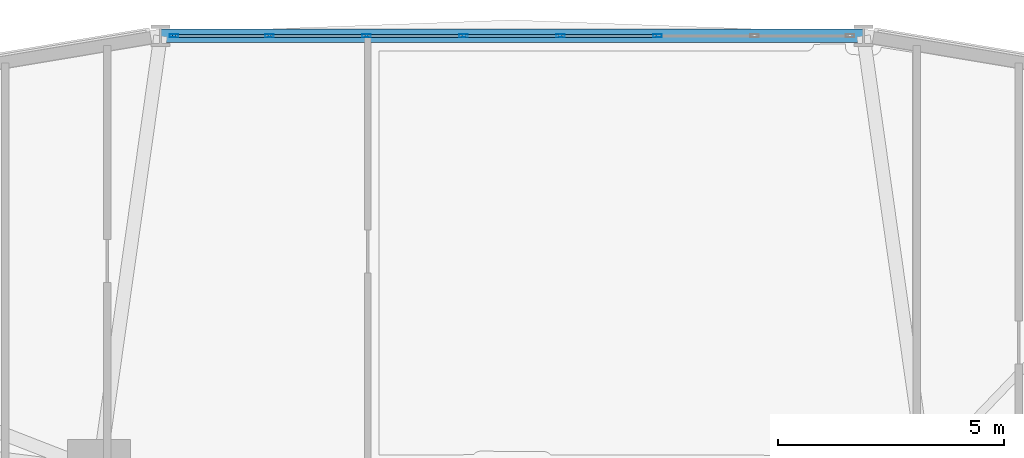
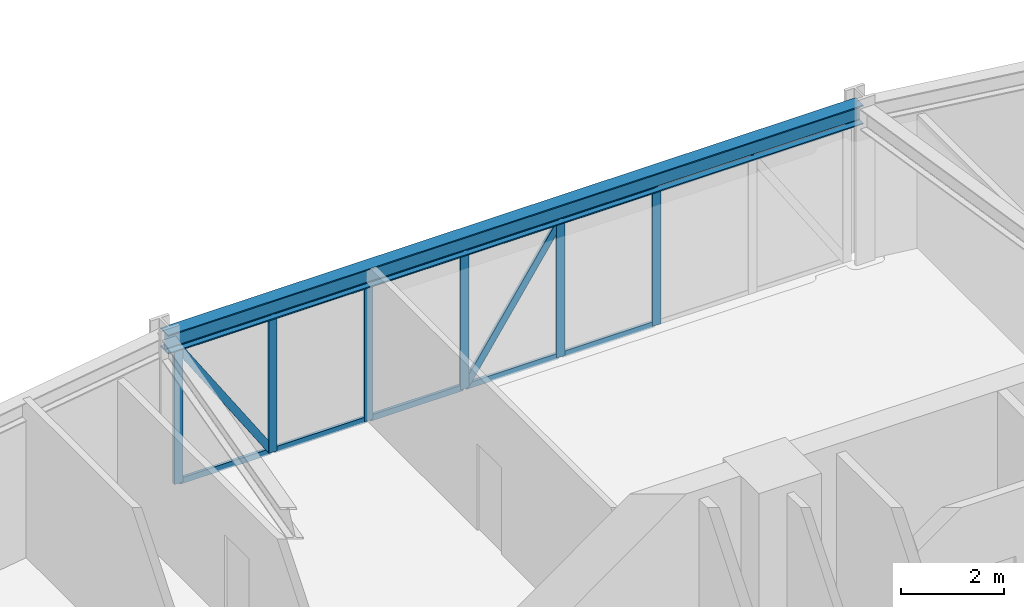
# One storey, part 12 of 22: 18 members, 1 beam, 1 element without a shape of its own.
"""IFC4 building model written with IfcOpenShell, lengths in metres."""

from ifc_helpers import new_model, si_unit, derived_unit, direction, frame, origin, origin_2d, place, context, subcontext, project, spatial, hollow_rectangle, i_section, extrude, source, transform, mapped, material, layer, layer_set, material_profile, profile_set, type_object, element, aggregate, save


model = new_model("IFC4")

# Units and contexts
model_context = context("Model", 3, precision=1e-05, world=origin(), true_north=direction((0.0, 1.0)))
body_context = subcontext(model_context, "Body", "Model", "MODEL_VIEW")
ifc_project = project(units=[si_unit("LENGTHUNIT", "METRE"), si_unit("AREAUNIT", "SQUARE_METRE"), si_unit("VOLUMEUNIT", "CUBIC_METRE"), si_unit("PLANEANGLEUNIT", "RADIAN"), si_unit("MASSUNIT", "GRAM", prefix="KILO"), derived_unit("THERMALTRANSMITTANCEUNIT", [(si_unit("POWERUNIT", "WATT"), 1), (si_unit("LENGTHUNIT", "METRE"), -2), (si_unit("THERMODYNAMICTEMPERATUREUNIT", "KELVIN"), -1)])], contexts=[model_context])

# Site, building, storey
site_placement = place(None, origin())
site = spatial("IfcSite", under=ifc_project, at=site_placement, CompositionType="ELEMENT")
building_placement = place(site_placement, origin())
building = spatial("IfcBuilding", under=site, at=building_placement, Name="Korsvarv Bourse and Concert Hall", CompositionType="ELEMENT")
storey_placement = place(building_placement, frame((0.0, 0.0, 47.39990234375)))
storey = spatial("IfcBuildingStorey", under=building, at=storey_placement, Name="L11", CompositionType="ELEMENT", Elevation=47.39990234375)

# Beam
ifc_material_1 = material(Name="Steel S355", Category="steel")
ifc_material_profile_1 = material_profile(ifc_material_1, i_section(OverallWidth=0.300048828125, OverallDepth=0.449951171875, WebThickness=0.013916015625, FlangeThickness=0.02587890625, FilletRadius=0.02099609375, at=origin_2d()), Name="HEB 450")
ifc_profile_set_1 = profile_set([ifc_material_profile_1], Name="Steel S355")
beam_type = type_object("IfcBeamType", Name="BM-HEB450", PredefinedType="SPANDREL", material=ifc_profile_set_1)
shared_shape_1 = source(origin(), body_context, "Body", "SweptSolid", [
    extrude(i_section(OverallWidth=0.300048828125, OverallDepth=0.449951171875, WebThickness=0.013916015625, FlangeThickness=0.02587890625, FilletRadius=0.02099609375, at=origin_2d()), origin(), (0.0, 0.0, 1.0), 15.5693359375),
])
beam_placement = place(storey_placement, frame((43.78466796875, 56.889404296875, 3.455078125), z_axis=(-1.0, 0.0, 0.0), x_axis=(0.0, -1.0, 0.0)))
element("IfcBeam", 1, at=beam_placement, inside=storey, type_object=beam_type, Name="L11 beam B-08", PredefinedType="SPANDREL", context=body_context, shape_type="MappedRepresentation", body=[
    mapped(shared_shape_1, transform((0.0, 0.0, 0.0), scale=1.0)),
])

# Curtain wall, members
ifc_material_2 = material(Name="Anodised aluminium and triple low-E glazing", Category="glass")
ifc_layer = layer(ifc_material_2, 0.219970703125)
ifc_layer_set = layer_set([ifc_layer], Name="Anodised aluminium and triple low-E glazing")
curtain_wall_type = type_object("IfcCurtainWallType", Name="CW-SYS-1", PredefinedType="NOTDEFINED", material=ifc_layer_set)
curtain_wall_placement = place(storey_placement, origin())
curtain_wall = element("IfcCurtainWall", 2, at=curtain_wall_placement, inside=storey, type_object=curtain_wall_type, Name="L11 CW1 curtain wall CW-L11-F03", PredefinedType="NOTDEFINED")
ifc_material_3 = material(Name="Extruded aluminium EN AW-6063 T66", Category="aluminium")
ifc_material_profile_2 = material_profile(ifc_material_3, hollow_rectangle(XDim=0.070068359375, YDim=0.18994140625, WallThickness=0.0048828125, at=origin_2d()), Name="ALU-M 70x190")
ifc_profile_set_2 = profile_set([ifc_material_profile_2], Name="Extruded aluminium EN AW-6063 T66")
member_type_1 = type_object("IfcMemberType", Name="CWM-190", PredefinedType="MULLION", material=ifc_profile_set_2)
shared_shape_2 = source(origin(), body_context, "Body", "SweptSolid", [
    extrude(hollow_rectangle(XDim=0.070068359375, YDim=0.18994140625, WallThickness=0.0048828125, at=origin_2d()), origin(), (0.0, 0.0, 1.0), 3.22998046875),
])
member_1_placement = place(storey_placement, frame((39.22412109375, 56.889404296875, 0.0), z_axis=(0.0, 0.0, 1.0), x_axis=(0.0, -1.0, 0.0)))
member_1 = element("IfcMember", 3, at=member_1_placement, type_object=member_type_1, Name="CW1 mullion 3", PredefinedType="MULLION", context=body_context, shape_type="MappedRepresentation", body=[
    mapped(shared_shape_2, transform((0.0, 0.0, 0.0), scale=1.0)),
])
member_2_placement = place(storey_placement, frame((37.07470703125, 56.889404296875, 0.0), z_axis=(0.0, 0.0, 1.0), x_axis=(0.0, -1.0, 0.0)))
member_2 = element("IfcMember", 4, at=member_2_placement, type_object=member_type_1, Name="CW1 mullion 4", PredefinedType="MULLION", context=body_context, shape_type="MappedRepresentation", body=[
    mapped(shared_shape_2, transform((0.0, 0.0, 0.0), scale=1.0)),
])
member_3_placement = place(storey_placement, frame((34.92529296875, 56.889404296875, 0.0), z_axis=(0.0, 0.0, 1.0), x_axis=(0.0, -1.0, 0.0)))
member_3 = element("IfcMember", 5, at=member_3_placement, type_object=member_type_1, Name="CW1 mullion 5", PredefinedType="MULLION", context=body_context, shape_type="MappedRepresentation", body=[
    mapped(shared_shape_2, transform((0.0, 0.0, 0.0), scale=1.0)),
])
member_4_placement = place(storey_placement, frame((32.77587890625, 56.889404296875, 0.0), z_axis=(0.0, 0.0, 1.0), x_axis=(0.0, -1.0, 0.0)))
member_4 = element("IfcMember", 6, at=member_4_placement, type_object=member_type_1, Name="CW1 mullion 6", PredefinedType="MULLION", context=body_context, shape_type="MappedRepresentation", body=[
    mapped(shared_shape_2, transform((0.0, 0.0, 0.0), scale=1.0)),
])
member_5_placement = place(storey_placement, frame((30.626708984375, 56.889404296875, 0.0), z_axis=(0.0, 0.0, 1.0), x_axis=(0.0, -1.0, 0.0)))
member_5 = element("IfcMember", 7, at=member_5_placement, type_object=member_type_1, Name="CW1 mullion 7", PredefinedType="MULLION", context=body_context, shape_type="MappedRepresentation", body=[
    mapped(shared_shape_2, transform((0.0, 0.0, 0.0), scale=1.0)),
])
member_6_placement = place(storey_placement, frame((28.51220703125, 56.889404296875, 0.0), z_axis=(0.0, 0.0, 1.0), x_axis=(0.0, -1.0, 0.0)))
member_6 = element("IfcMember", 8, at=member_6_placement, type_object=member_type_1, Name="CW1 mullion 8", PredefinedType="MULLION", context=body_context, shape_type="MappedRepresentation", body=[
    mapped(shared_shape_2, transform((0.0, 0.0, 0.0), scale=1.0)),
])
ifc_material_profile_3 = material_profile(ifc_material_3, hollow_rectangle(XDim=0.06494140625, YDim=0.139892578125, WallThickness=0.00390625, at=origin_2d()), Name="ALU-T 65x140")
ifc_profile_set_3 = profile_set([ifc_material_profile_3], Name="Extruded aluminium EN AW-6063 T66")
member_type_2 = type_object("IfcMemberType", Name="CWT-140", PredefinedType="USERDEFINED", material=ifc_profile_set_3)
shared_shape_3 = source(origin(), body_context, "Body", "SweptSolid", [
    extrude(hollow_rectangle(XDim=0.06494140625, YDim=0.139892578125, WallThickness=0.00390625, at=origin_2d()), origin(), (0.0, 0.0, 1.0), 2.044189453125),
])
member_7_placement = place(storey_placement, frame((30.591552734375, 56.889404296875, 0.03271484375), z_axis=(-1.0, 0.0, 0.0), x_axis=(0.0, -1.0, 0.0)))
member_7 = element("IfcMember", 9, at=member_7_placement, type_object=member_type_2, Name="CW1 transom 7.1", ObjectType="TRANSOM", PredefinedType="USERDEFINED", context=body_context, shape_type="MappedRepresentation", body=[
    mapped(shared_shape_3, transform((0.0, 0.0, 0.0), scale=1.0)),
])
member_8_placement = place(storey_placement, frame((30.591552734375, 56.889404296875, 3.197509765625), z_axis=(-1.0, 0.0, 0.0), x_axis=(0.0, -1.0, 0.0)))
member_8 = element("IfcMember", 10, at=member_8_placement, type_object=member_type_2, Name="CW1 transom 7.2", ObjectType="TRANSOM", PredefinedType="USERDEFINED", context=body_context, shape_type="MappedRepresentation", body=[
    mapped(shared_shape_3, transform((0.0, 0.0, 0.0), scale=1.0)),
])
ifc_material_profile_4 = material_profile(ifc_material_3, hollow_rectangle(XDim=0.06494140625, YDim=0.1650390625, WallThickness=0.0048828125, at=origin_2d()), Name="ALU-M 65x165")
ifc_profile_set_4 = profile_set([ifc_material_profile_4], Name="Extruded aluminium EN AW-6063 T66")
member_type_3 = type_object("IfcMemberType", Name="CWM-165", PredefinedType="MULLION", material=ifc_profile_set_4)
shared_shape_4 = source(origin(), body_context, "Body", "SweptSolid", [
    extrude(hollow_rectangle(XDim=0.06494140625, YDim=0.1650390625, WallThickness=0.0048828125, at=origin_2d()), origin(), (0.0, 0.0, 1.0), 3.713134765625),
])
member_9_placement = place(storey_placement, frame((30.591552734375, 56.889404296875, 0.065185546875), z_axis=(-0.550520656197, 0.0, 0.834821542068), x_axis=(0.0, -1.0, 0.0)))
member_9 = element("IfcMember", 11, at=member_9_placement, type_object=member_type_3, Name="CW1 diagonal mullion 7", PredefinedType="MULLION", context=body_context, shape_type="MappedRepresentation", body=[
    mapped(shared_shape_4, transform((0.0, 0.0, 0.0), scale=1.0)),
])
shared_shape_5 = source(origin(), body_context, "Body", "SweptSolid", [
    extrude(hollow_rectangle(XDim=0.06494140625, YDim=0.139892578125, WallThickness=0.00390625, at=origin_2d()), origin(), (0.0, 0.0, 1.0), 2.079345703125),
])
member_10_placement = place(storey_placement, frame((39.18896484375, 56.889404296875, 0.03271484375), z_axis=(-1.0, 0.0, 0.0), x_axis=(0.0, -1.0, 0.0)))
member_10 = element("IfcMember", 12, at=member_10_placement, type_object=member_type_2, Name="CW1 transom 3.1", ObjectType="TRANSOM", PredefinedType="USERDEFINED", context=body_context, shape_type="MappedRepresentation", body=[
    mapped(shared_shape_5, transform((0.0, 0.0, 0.0), scale=1.0)),
])
member_11_placement = place(storey_placement, frame((39.18896484375, 56.889404296875, 3.197509765625), z_axis=(-1.0, 0.0, 0.0), x_axis=(0.0, -1.0, 0.0)))
member_11 = element("IfcMember", 13, at=member_11_placement, type_object=member_type_2, Name="CW1 transom 3.2", ObjectType="TRANSOM", PredefinedType="USERDEFINED", context=body_context, shape_type="MappedRepresentation", body=[
    mapped(shared_shape_5, transform((0.0, 0.0, 0.0), scale=1.0)),
])
member_12_placement = place(storey_placement, frame((34.890380859375, 56.889404296875, 0.03271484375), z_axis=(-1.0, 0.0, 0.0), x_axis=(0.0, -1.0, 0.0)))
member_12 = element("IfcMember", 14, at=member_12_placement, type_object=member_type_2, Name="CW1 transom 5.1", ObjectType="TRANSOM", PredefinedType="USERDEFINED", context=body_context, shape_type="MappedRepresentation", body=[
    mapped(shared_shape_5, transform((0.0, 0.0, 0.0), scale=1.0)),
])
member_13_placement = place(storey_placement, frame((34.890380859375, 56.889404296875, 3.197509765625), z_axis=(-1.0, 0.0, 0.0), x_axis=(0.0, -1.0, 0.0)))
member_13 = element("IfcMember", 15, at=member_13_placement, type_object=member_type_2, Name="CW1 transom 5.2", ObjectType="TRANSOM", PredefinedType="USERDEFINED", context=body_context, shape_type="MappedRepresentation", body=[
    mapped(shared_shape_5, transform((0.0, 0.0, 0.0), scale=1.0)),
])
member_14_placement = place(storey_placement, frame((32.740966796875, 56.889404296875, 0.03271484375), z_axis=(-1.0, 0.0, 0.0), x_axis=(0.0, -1.0, 0.0)))
member_14 = element("IfcMember", 16, at=member_14_placement, type_object=member_type_2, Name="CW1 transom 6.1", ObjectType="TRANSOM", PredefinedType="USERDEFINED", context=body_context, shape_type="MappedRepresentation", body=[
    mapped(shared_shape_5, transform((0.0, 0.0, 0.0), scale=1.0)),
])
member_15_placement = place(storey_placement, frame((32.740966796875, 56.889404296875, 3.197509765625), z_axis=(-1.0, 0.0, 0.0), x_axis=(0.0, -1.0, 0.0)))
member_15 = element("IfcMember", 17, at=member_15_placement, type_object=member_type_2, Name="CW1 transom 6.2", ObjectType="TRANSOM", PredefinedType="USERDEFINED", context=body_context, shape_type="MappedRepresentation", body=[
    mapped(shared_shape_5, transform((0.0, 0.0, 0.0), scale=1.0)),
])
shared_shape_6 = source(origin(), body_context, "Body", "SweptSolid", [
    extrude(hollow_rectangle(XDim=0.06494140625, YDim=0.139892578125, WallThickness=0.00390625, at=origin_2d()), origin(), (0.0, 0.0, 1.0), 2.0791015625),
])
member_16_placement = place(storey_placement, frame((37.03955078125, 56.889404296875, 0.03271484375), z_axis=(-1.0, 0.0, 0.0), x_axis=(0.0, -1.0, 0.0)))
member_16 = element("IfcMember", 18, at=member_16_placement, type_object=member_type_2, Name="CW1 transom 4.1", ObjectType="TRANSOM", PredefinedType="USERDEFINED", context=body_context, shape_type="MappedRepresentation", body=[
    mapped(shared_shape_6, transform((0.0, 0.0, 0.0), scale=1.0)),
])
member_17_placement = place(storey_placement, frame((37.03955078125, 56.889404296875, 3.197509765625), z_axis=(-1.0, 0.0, 0.0), x_axis=(0.0, -1.0, 0.0)))
member_17 = element("IfcMember", 19, at=member_17_placement, type_object=member_type_2, Name="CW1 transom 4.2", ObjectType="TRANSOM", PredefinedType="USERDEFINED", context=body_context, shape_type="MappedRepresentation", body=[
    mapped(shared_shape_6, transform((0.0, 0.0, 0.0), scale=1.0)),
])
shared_shape_7 = source(origin(), body_context, "Body", "SweptSolid", [
    extrude(hollow_rectangle(XDim=0.06494140625, YDim=0.1650390625, WallThickness=0.0048828125, at=origin_2d()), origin(), (0.0, 0.0, 1.0), 3.732421875),
])
member_18_placement = place(storey_placement, frame((34.96044921875, 56.889404296875, 0.065185546875), z_axis=(0.557022564737, 0.0, 0.830497358439), x_axis=(0.0, 1.0, 0.0)))
member_18 = element("IfcMember", 20, at=member_18_placement, type_object=member_type_3, Name="CW1 diagonal mullion 4", PredefinedType="MULLION", context=body_context, shape_type="MappedRepresentation", body=[
    mapped(shared_shape_7, transform((0.0, 0.0, 0.0), scale=1.0)),
])
aggregate(curtain_wall, [member_1, member_2, member_3, member_4, member_5, member_6, member_10, member_11, member_16, member_17, member_18, member_12, member_13, member_14, member_15, member_7, member_8, member_9])

save(model, "model.ifc")
